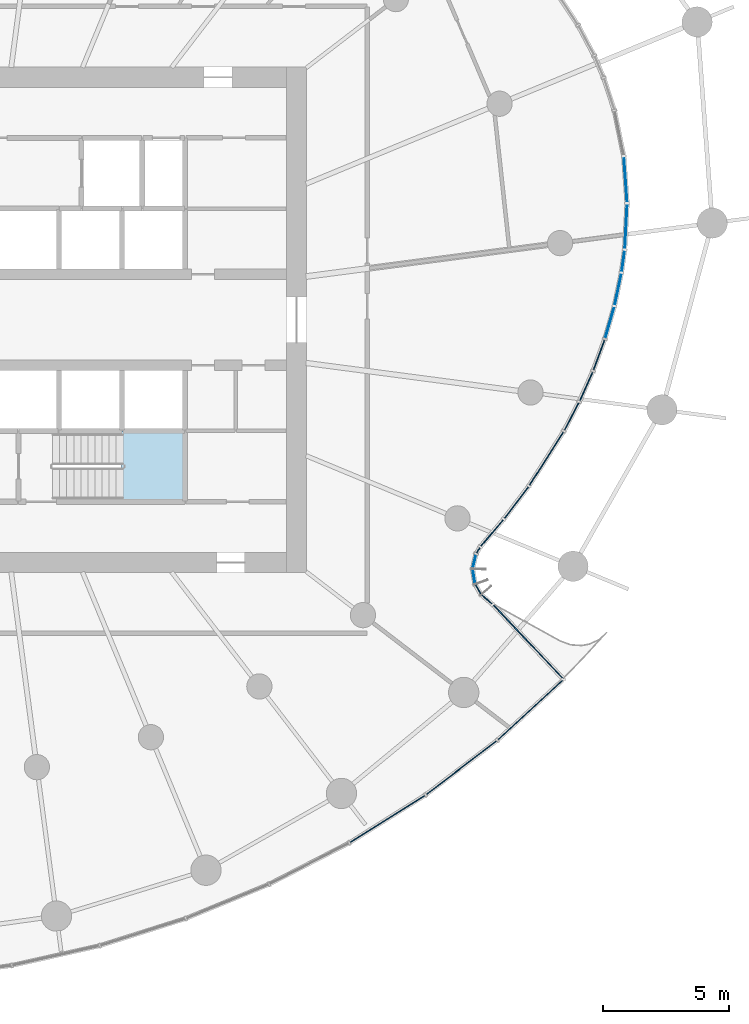
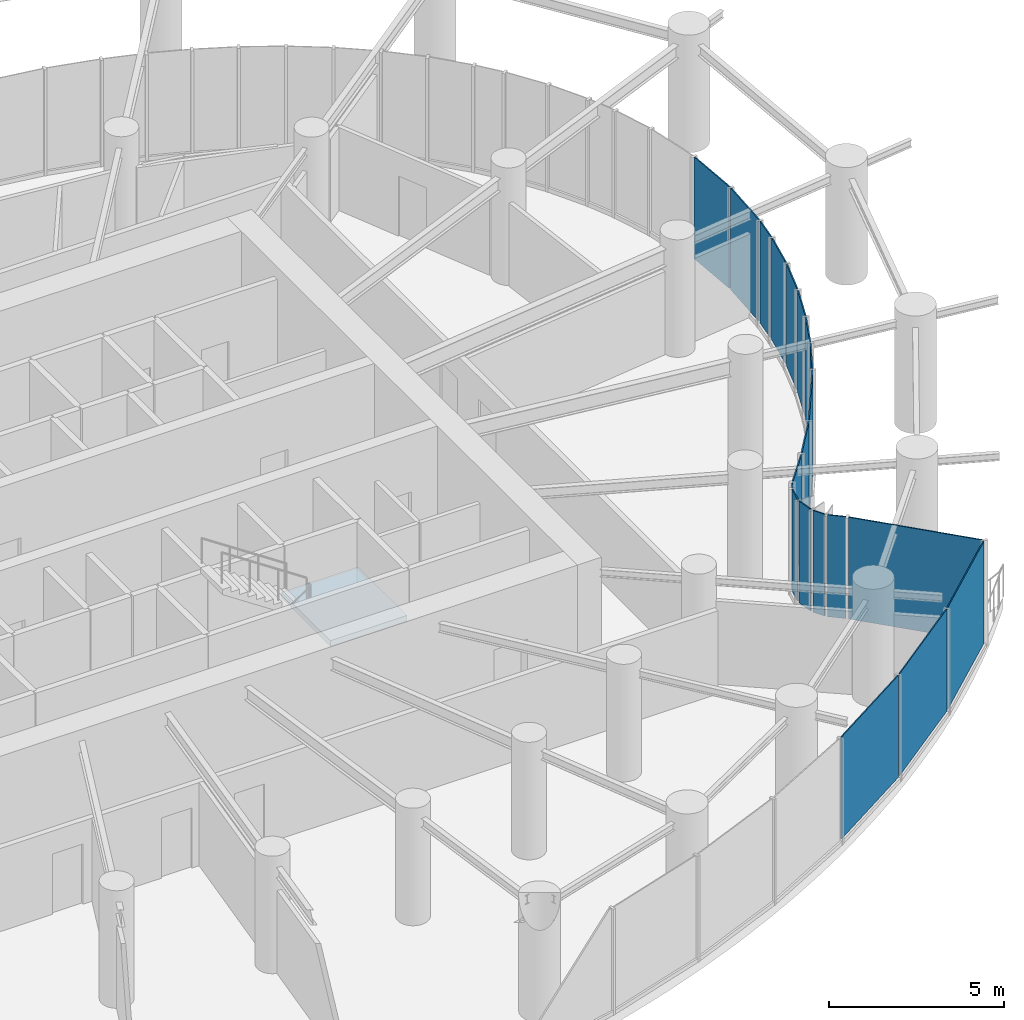
# One storey, part 11 of 21: 20 plates, 1 slab, 5 elements without a shape of their own.
"""IFC4 building model written with IfcOpenShell, lengths in metres."""

from ifc_helpers import new_model, si_unit, direction, frame, origin, origin_2d, place, context, subcontext, project, spatial, line, indexed_curve, rectangle, outline, extrude, source, transform, mapped, material, layer, layer_set, type_object, element, aggregate, save


model = new_model("IFC4")

# Units and contexts
model_context = context("Model", 3, precision=1e-05, world=origin(), true_north=direction((0.0, 1.0)))
body_context = subcontext(model_context, "Body", "Model", "MODEL_VIEW")
ifc_project = project(units=[si_unit("LENGTHUNIT", "METRE"), si_unit("AREAUNIT", "SQUARE_METRE"), si_unit("VOLUMEUNIT", "CUBIC_METRE"), si_unit("PLANEANGLEUNIT", "RADIAN"), si_unit("MASSUNIT", "GRAM", prefix="KILO")], contexts=[model_context])

# Site, building, storey
site_placement = place(None, origin())
site = spatial("IfcSite", under=ifc_project, at=site_placement, CompositionType="ELEMENT")
building_placement = place(site_placement, origin())
building = spatial("IfcBuilding", under=site, at=building_placement, Name="Spindrift Exchange Tower", CompositionType="ELEMENT")
storey_placement = place(building_placement, frame((0.0, 0.0, 83.89990234375)))
storey = spatial("IfcBuildingStorey", under=building, at=storey_placement, Name="L19", CompositionType="ELEMENT", Elevation=83.89990234375)

# Stair, slab
ifc_material_1 = material(Name="Concrete 50 MPa", Category="concrete")
stair_type = type_object("IfcStairType", Name="ST-1250-R186", PredefinedType="HALF_TURN_STAIR", material=ifc_material_1)
stair_placement = place(storey_placement, origin())
stair = element("IfcStair", 1, at=stair_placement, inside=storey, type_object=stair_type, Name="L19 Exit stair ST2", PredefinedType="HALF_TURN_STAIR")
ifc_layer_1 = layer(ifc_material_1, 0.199951171875)
ifc_layer_set_1 = layer_set([ifc_layer_1], Name="SL-LANDING")
slab_type = type_object("IfcSlabType", Name="SL-LANDING", PredefinedType="LANDING", material=ifc_layer_set_1)
slab_placement = place(storey_placement, frame((0.0, 0.0, 1.85009765625)))
slab = element("IfcSlab", 2, at=slab_placement, type_object=slab_type, Name="ST2 landing 1", PredefinedType="LANDING", context=body_context, shape_type="SweptSolid", body=[
    extrude(outline(indexed_curve([(57.669921875, 43.60009765625), (60.199951171875, 43.60009765625), (60.199951171875, 40.800048828125), (57.669921875, 40.800048828125)], segments=[line(1, 2, 3, 4, 1)], self_intersect=False)), origin(), (0.0, 0.0, 1.0), 0.199951171875),
])
aggregate(stair, [slab])

# Curtain wall, plate
ifc_material_2 = material(Name="Fritted laminated glass with bronze frame", Category="glass")
ifc_layer_2 = layer(ifc_material_2, 0.199951171875)
ifc_layer_set_2 = layer_set([ifc_layer_2], Name="SKY GARDEN BRONZE GLAZED WALL")
curtain_wall_type_1 = type_object("IfcCurtainWallType", Name="SKY GARDEN BRONZE GLAZED WALL", PredefinedType="NOTDEFINED", material=ifc_layer_set_2)
curtain_wall_1_placement = place(storey_placement, origin())
curtain_wall_1 = element("IfcCurtainWall", 3, at=curtain_wall_1_placement, inside=storey, type_object=curtain_wall_type_1, Name="L19 Sky Garden Bronze Glazed Wall run 7", PredefinedType="NOTDEFINED")
ifc_material_3 = material(Name="Bronze tinted laminated glass, clear vision", Category="glass")
ifc_layer_3 = layer(ifc_material_3, 0.0380859375)
ifc_layer_set_3 = layer_set([ifc_layer_3], Name="SKY GARDEN BRONZE GLAZED WALL PANEL CLEAR 1560")
plate_type_1 = type_object("IfcPlateType", Name="SKY GARDEN BRONZE GLAZED WALL PANEL CLEAR 1560", PredefinedType="CURTAIN_PANEL", material=ifc_layer_set_3)
shared_shape_1 = source(origin(), body_context, "Body", "SweptSolid", [
    extrude(rectangle(XDim=0.526123046875, YDim=0.0380859375, at=origin_2d()), origin(), (0.0, 0.0, 1.0), 3.550048828125),
])
plate_1_placement = place(storey_placement, frame((71.643310546875, 38.441650390625, 0.14990234375), z_axis=(0.0, 0.0, 1.0), x_axis=(0.230698519716, 0.973025278706, 0.0)))
plate_1 = element("IfcPlate", 4, at=plate_1_placement, type_object=plate_type_1, Name="L19 panel CW-G.40", PredefinedType="CURTAIN_PANEL", context=body_context, shape_type="MappedRepresentation", body=[
    mapped(shared_shape_1, transform((0.0, 0.0, 0.0), scale=1.0)),
])

# Curtain wall, plates
curtain_wall_2_placement = place(storey_placement, origin())
curtain_wall_2 = element("IfcCurtainWall", 5, at=curtain_wall_2_placement, inside=storey, type_object=curtain_wall_type_1, Name="L19 Sky Garden Bronze Glazed Wall run 8", PredefinedType="NOTDEFINED")
ifc_layer_4 = layer(ifc_material_3, 0.0380859375)
ifc_layer_set_4 = layer_set([ifc_layer_4], Name="SKY GARDEN BRONZE GLAZED WALL PANEL CLEAR 1200")
plate_type_2 = type_object("IfcPlateType", Name="SKY GARDEN BRONZE GLAZED WALL PANEL CLEAR 1200", PredefinedType="CURTAIN_PANEL", material=ifc_layer_set_4)
shared_shape_2 = source(origin(), body_context, "Body", "SweptSolid", [
    extrude(rectangle(XDim=1.560791015625, YDim=0.0380859375, at=origin_2d()), origin(), (0.0, 0.0, 1.0), 3.550048828125),
])
plate_2_placement = place(storey_placement, frame((73.3056640625, 40.76513671875, 0.14990234375), z_axis=(0.0, 0.0, 1.0), x_axis=(0.605827337724, 0.795596151868, 0.0)))
plate_2 = element("IfcPlate", 6, at=plate_2_placement, type_object=plate_type_2, Name="L19 panel CW-G.43", PredefinedType="CURTAIN_PANEL", context=body_context, shape_type="MappedRepresentation", body=[
    mapped(shared_shape_2, transform((0.0, 0.0, 0.0), scale=1.0)),
])
ifc_layer_5 = layer(ifc_material_3, 0.0380859375)
ifc_layer_set_5 = layer_set([ifc_layer_5], Name="SKY GARDEN BRONZE GLAZED WALL PANEL CLEAR 1920")
plate_type_3 = type_object("IfcPlateType", Name="SKY GARDEN BRONZE GLAZED WALL PANEL CLEAR 1920", PredefinedType="CURTAIN_PANEL", material=ifc_layer_set_5)
shared_shape_3 = source(origin(), body_context, "Body", "SweptSolid", [
    extrude(rectangle(XDim=2.489501953125, YDim=0.0380859375, at=origin_2d()), origin(), (0.0, 0.0, 1.0), 3.550048828125),
])
plate_3_placement = place(storey_placement, frame((74.4951171875, 42.505859375, 0.14990234375), z_axis=(0.0, 0.0, 1.0), x_axis=(0.536779891902, 0.843722316672, 0.0)))
plate_3 = element("IfcPlate", 7, at=plate_3_placement, type_object=plate_type_3, Name="L19 panel CW-G.44", PredefinedType="CURTAIN_PANEL", context=body_context, shape_type="MappedRepresentation", body=[
    mapped(shared_shape_3, transform((0.0, 0.0, 0.0), scale=1.0)),
])
shared_shape_4 = source(origin(), body_context, "Body", "SweptSolid", [
    extrude(rectangle(XDim=1.2626953125, YDim=0.0380859375, at=origin_2d()), origin(), (0.0, 0.0, 1.0), 3.550048828125),
])
plate_4_placement = place(storey_placement, frame((76.57421875, 46.602783203125, 0.14990234375), z_axis=(0.0, 0.0, 1.0), x_axis=(0.347241738063, 0.937775652993, 0.0)))
plate_4 = element("IfcPlate", 8, at=plate_4_placement, type_object=plate_type_1, Name="L19 panel CW-G.47", PredefinedType="CURTAIN_PANEL", context=body_context, shape_type="MappedRepresentation", body=[
    mapped(shared_shape_4, transform((0.0, 0.0, 0.0), scale=1.0)),
])

ifc_layer_6 = layer(ifc_material_2, 0.18994140625)
ifc_layer_set_6 = layer_set([ifc_layer_6], Name="ZONE 2 BRONZE FRITTED WALL")
curtain_wall_type_2 = type_object("IfcCurtainWallType", Name="ZONE 2 BRONZE FRITTED WALL", PredefinedType="NOTDEFINED", material=ifc_layer_set_6)
curtain_wall_3_placement = place(storey_placement, origin())
curtain_wall_3 = element("IfcCurtainWall", 9, at=curtain_wall_3_placement, inside=storey, type_object=curtain_wall_type_2, Name="L19 Zone 2 Bronze Fritted Wall run 6", PredefinedType="NOTDEFINED")
ifc_material_4 = material(Name="Bronze fritted laminated glass, close frit", Category="glass")
ifc_layer_7 = layer(ifc_material_4, 0.033935546875)
ifc_layer_set_7 = layer_set([ifc_layer_7], Name="ZONE 2 BRONZE FRITTED WALL PANEL CLOSE FRIT 420")
plate_type_4 = type_object("IfcPlateType", Name="ZONE 2 BRONZE FRITTED WALL PANEL CLOSE FRIT 420", PredefinedType="CURTAIN_PANEL", material=ifc_layer_set_7)
shared_shape_5 = source(origin(), body_context, "Body", "SweptSolid", [
    extrude(rectangle(XDim=3.491455078125, YDim=0.033935546875, at=origin_2d()), origin(), (0.0, 0.0, 1.0), 3.56005859375),
])
plate_5_placement = place(storey_placement, frame((73.8623046875, 32.564208984375, 0.14013671875), z_axis=(0.0, 0.0, 1.0), x_axis=(0.735652732992, 0.677358883046, 0.0)))
plate_5 = element("IfcPlate", 10, at=plate_5_placement, type_object=plate_type_4, Name="L19 panel CW-2.35", PredefinedType="CURTAIN_PANEL", context=body_context, shape_type="MappedRepresentation", body=[
    mapped(shared_shape_5, transform((0.0, 0.0, 0.0), scale=1.0)),
])
ifc_layer_8 = layer(ifc_material_4, 0.033935546875)
ifc_layer_set_8 = layer_set([ifc_layer_8], Name="ZONE 2 BRONZE FRITTED WALL PANEL CLOSE FRIT 300")
plate_type_5 = type_object("IfcPlateType", Name="ZONE 2 BRONZE FRITTED WALL PANEL CLOSE FRIT 300", PredefinedType="CURTAIN_PANEL", material=ifc_layer_set_8)
shared_shape_6 = source(origin(), body_context, "Body", "SweptSolid", [
    extrude(rectangle(XDim=3.49169921875, YDim=0.033935546875, at=origin_2d()), origin(), (0.0, 0.0, 1.0), 3.56005859375),
])
plate_6_placement = place(storey_placement, frame((71.131591796875, 30.27587890625, 0.14013671875), z_axis=(0.0, 0.0, 1.0), x_axis=(0.795641616459, 0.605767627196, 0.0)))
plate_6 = element("IfcPlate", 11, at=plate_6_placement, type_object=plate_type_5, Name="L19 panel CW-2.34", PredefinedType="CURTAIN_PANEL", context=body_context, shape_type="MappedRepresentation", body=[
    mapped(shared_shape_6, transform((0.0, 0.0, 0.0), scale=1.0)),
])
ifc_layer_9 = layer(ifc_material_4, 0.033935546875)
ifc_layer_set_9 = layer_set([ifc_layer_9], Name="ZONE 2 BRONZE FRITTED WALL PANEL CLOSE FRIT 540")
plate_type_6 = type_object("IfcPlateType", Name="ZONE 2 BRONZE FRITTED WALL PANEL CLOSE FRIT 540", PredefinedType="CURTAIN_PANEL", material=ifc_layer_set_9)
shared_shape_7 = source(origin(), body_context, "Body", "SweptSolid", [
    extrude(rectangle(XDim=3.49169921875, YDim=0.033935546875, at=origin_2d()), origin(), (0.0, 0.0, 1.0), 3.56005859375),
])
plate_7_placement = place(storey_placement, frame((68.203369140625, 28.24609375, 0.14013671875), z_axis=(0.0, 0.0, 1.0), x_axis=(0.846413514288, 0.532526208585, 0.0)))
plate_7 = element("IfcPlate", 12, at=plate_7_placement, type_object=plate_type_6, Name="L19 panel CW-2.33", PredefinedType="CURTAIN_PANEL", context=body_context, shape_type="MappedRepresentation", body=[
    mapped(shared_shape_7, transform((0.0, 0.0, 0.0), scale=1.0)),
])
aggregate(curtain_wall_3, [plate_7, plate_6, plate_5])

# Plate
shared_shape_8 = source(origin(), body_context, "Body", "SweptSolid", [
    extrude(rectangle(XDim=3.989990234375, YDim=0.0380859375, at=origin_2d()), origin(), (0.0, 0.0, 1.0), 3.550048828125),
])
plate_8_placement = place(storey_placement, frame((73.7744140625, 35.25244140625, 0.14990234375), z_axis=(0.0, 0.0, 1.0), x_axis=(-0.686974640545, 0.726681390465, 0.0)))
plate_8 = element("IfcPlate", 13, at=plate_8_placement, type_object=plate_type_3, Name="L19 panel CW-G.36", PredefinedType="CURTAIN_PANEL", context=body_context, shape_type="MappedRepresentation", body=[
    mapped(shared_shape_8, transform((0.0, 0.0, 0.0), scale=1.0)),
])

shared_shape_9 = source(origin(), body_context, "Body", "SweptSolid", [
    extrude(rectangle(XDim=0.52880859375, YDim=0.0380859375, at=origin_2d()), origin(), (0.0, 0.0, 1.0), 3.550048828125),
])
plate_9_placement = place(storey_placement, frame((72.140380859375, 36.931396484375, 0.14990234375), z_axis=(0.0, 0.0, 1.0), x_axis=(-0.763256150951, 0.646096005278, 0.0)))
plate_9 = element("IfcPlate", 14, at=plate_9_placement, type_object=plate_type_3, Name="L19 panel CW-G.37", PredefinedType="CURTAIN_PANEL", context=body_context, shape_type="MappedRepresentation", body=[
    mapped(shared_shape_9, transform((0.0, 0.0, 0.0), scale=1.0)),
])

shared_shape_10 = source(origin(), body_context, "Body", "SweptSolid", [
    extrude(rectangle(XDim=0.38330078125, YDim=0.0380859375, at=origin_2d()), origin(), (0.0, 0.0, 1.0), 3.550048828125),
])
plate_10_placement = place(storey_placement, frame((71.790283203125, 37.3330078125, 0.14990234375), z_axis=(0.0, 0.0, 1.0), x_axis=(-0.494896110799, 0.868952150303, 0.0)))
plate_10 = element("IfcPlate", 15, at=plate_10_placement, type_object=plate_type_1, Name="L19 panel CW-G.38", PredefinedType="CURTAIN_PANEL", context=body_context, shape_type="MappedRepresentation", body=[
    mapped(shared_shape_10, transform((0.0, 0.0, 0.0), scale=1.0)),
])

shared_shape_11 = source(origin(), body_context, "Body", "SweptSolid", [
    extrude(rectangle(XDim=0.53125, YDim=0.0380859375, at=origin_2d()), origin(), (0.0, 0.0, 1.0), 3.550048828125),
])
plate_11_placement = place(storey_placement, frame((71.623779296875, 37.840576171875, 0.14990234375), z_axis=(0.0, 0.0, 1.0), x_axis=(-0.164872021149, 0.986314968274, 0.0)))
plate_11 = element("IfcPlate", 16, at=plate_11_placement, type_object=plate_type_3, Name="L19 panel CW-G.39", PredefinedType="CURTAIN_PANEL", context=body_context, shape_type="MappedRepresentation", body=[
    mapped(shared_shape_11, transform((0.0, 0.0, 0.0), scale=1.0)),
])

shared_shape_12 = source(origin(), body_context, "Body", "SweptSolid", [
    extrude(rectangle(XDim=0.229736328125, YDim=0.0380859375, at=origin_2d()), origin(), (0.0, 0.0, 1.0), 3.550048828125),
])
plate_12_placement = place(storey_placement, frame((71.793701171875, 38.87451171875, 0.14990234375), z_axis=(0.0, 0.0, 1.0), x_axis=(0.508172840056, 0.861255110075, 0.0)))
plate_12 = element("IfcPlate", 17, at=plate_12_placement, type_object=plate_type_3, Name="L19 panel CW-G.41", PredefinedType="CURTAIN_PANEL", context=body_context, shape_type="MappedRepresentation", body=[
    mapped(shared_shape_12, transform((0.0, 0.0, 0.0), scale=1.0)),
])

aggregate(curtain_wall_1, [plate_8, plate_9, plate_10, plate_11, plate_1, plate_12])

shared_shape_13 = source(origin(), body_context, "Body", "SweptSolid", [
    extrude(rectangle(XDim=1.35791015625, YDim=0.0380859375, at=origin_2d()), origin(), (0.0, 0.0, 1.0), 3.550048828125),
])
plate_13_placement = place(storey_placement, frame((72.340576171875, 39.560302734375, 0.14990234375), z_axis=(0.0, 0.0, 1.0), x_axis=(0.646792441721, 0.762666071969, 0.0)))
plate_13 = element("IfcPlate", 18, at=plate_13_placement, type_object=plate_type_1, Name="L19 panel CW-G.42", PredefinedType="CURTAIN_PANEL", context=body_context, shape_type="MappedRepresentation", body=[
    mapped(shared_shape_13, transform((0.0, 0.0, 0.0), scale=1.0)),
])

shared_shape_14 = source(origin(), body_context, "Body", "SweptSolid", [
    extrude(rectangle(XDim=1.228515625, YDim=0.0380859375, at=origin_2d()), origin(), (0.0, 0.0, 1.0), 3.550048828125),
])
plate_14_placement = place(storey_placement, frame((75.49072265625, 44.173583984375, 0.14990234375), z_axis=(0.0, 0.0, 1.0), x_axis=(0.464217627649, 0.885721171803, 0.0)))
plate_14 = element("IfcPlate", 19, at=plate_14_placement, type_object=plate_type_2, Name="L19 panel CW-G.45", PredefinedType="CURTAIN_PANEL", context=body_context, shape_type="MappedRepresentation", body=[
    mapped(shared_shape_14, transform((0.0, 0.0, 0.0), scale=1.0)),
])

shared_shape_15 = source(origin(), body_context, "Body", "SweptSolid", [
    extrude(rectangle(XDim=1.246826171875, YDim=0.0380859375, at=origin_2d()), origin(), (0.0, 0.0, 1.0), 3.550048828125),
])
plate_15_placement = place(storey_placement, frame((76.06787109375, 45.363037109375, 0.14990234375), z_axis=(0.0, 0.0, 1.0), x_axis=(0.408755799413, 0.912643794942, 0.0)))
plate_15 = element("IfcPlate", 20, at=plate_15_placement, type_object=plate_type_2, Name="L19 panel CW-G.46", PredefinedType="CURTAIN_PANEL", context=body_context, shape_type="MappedRepresentation", body=[
    mapped(shared_shape_15, transform((0.0, 0.0, 0.0), scale=1.0)),
])

aggregate(curtain_wall_2, [plate_13, plate_2, plate_3, plate_14, plate_15, plate_4])

# Curtain wall, plates
curtain_wall_4_placement = place(storey_placement, origin())
curtain_wall_4 = element("IfcCurtainWall", 21, at=curtain_wall_4_placement, inside=storey, type_object=curtain_wall_type_1, Name="L19 Sky Garden Bronze Glazed Wall run 9", PredefinedType="NOTDEFINED")
shared_shape_16 = source(origin(), body_context, "Body", "SweptSolid", [
    extrude(rectangle(XDim=1.27587890625, YDim=0.0380859375, at=origin_2d()), origin(), (0.0, 0.0, 1.0), 3.550048828125),
])
plate_16_placement = place(storey_placement, frame((76.998291015625, 47.88818359375, 0.14990234375), z_axis=(0.0, 0.0, 1.0), x_axis=(0.279356460084, 0.960187465139, 0.0)))
plate_16 = element("IfcPlate", 22, at=plate_16_placement, type_object=plate_type_3, Name="L19 panel CW-G.48", PredefinedType="CURTAIN_PANEL", context=body_context, shape_type="MappedRepresentation", body=[
    mapped(shared_shape_16, transform((0.0, 0.0, 0.0), scale=1.0)),
])
shared_shape_17 = source(origin(), body_context, "Body", "SweptSolid", [
    extrude(rectangle(XDim=1.26611328125, YDim=0.0380859375, at=origin_2d()), origin(), (0.0, 0.0, 1.0), 3.550048828125),
])
plate_17_placement = place(storey_placement, frame((77.326904296875, 49.20263671875, 0.14990234375), z_axis=(0.0, 0.0, 1.0), x_axis=(0.205372402497, 0.978683900089, 0.0)))
plate_17 = element("IfcPlate", 23, at=plate_17_placement, type_object=plate_type_2, Name="L19 panel CW-G.49", PredefinedType="CURTAIN_PANEL", context=body_context, shape_type="MappedRepresentation", body=[
    mapped(shared_shape_17, transform((0.0, 0.0, 0.0), scale=1.0)),
])
shared_shape_18 = source(origin(), body_context, "Body", "SweptSolid", [
    extrude(rectangle(XDim=0.83251953125, YDim=0.0380859375, at=origin_2d()), origin(), (0.0, 0.0, 1.0), 3.550048828125),
])
plate_18_placement = place(storey_placement, frame((77.529541015625, 50.318115234375, 0.14990234375), z_axis=(0.0, 0.0, 1.0), x_axis=(0.138963968255, 0.990297437908, 0.0)))
plate_18 = element("IfcPlate", 24, at=plate_18_placement, type_object=plate_type_3, Name="L19 panel CW-G.50", PredefinedType="CURTAIN_PANEL", context=body_context, shape_type="MappedRepresentation", body=[
    mapped(shared_shape_18, transform((0.0, 0.0, 0.0), scale=1.0)),
])
shared_shape_19 = source(origin(), body_context, "Body", "SweptSolid", [
    extrude(rectangle(XDim=1.756103515625, YDim=0.0380859375, at=origin_2d()), origin(), (0.0, 0.0, 1.0), 3.550048828125),
])
plate_19_placement = place(storey_placement, frame((77.6416015625, 51.691650390625, 0.14990234375), z_axis=(0.0, 0.0, 1.0), x_axis=(0.052470161945, 0.998622492289, 0.0)))
plate_19 = element("IfcPlate", 25, at=plate_19_placement, type_object=plate_type_3, Name="L19 panel CW-G.51", PredefinedType="CURTAIN_PANEL", context=body_context, shape_type="MappedRepresentation", body=[
    mapped(shared_shape_19, transform((0.0, 0.0, 0.0), scale=1.0)),
])
shared_shape_20 = source(origin(), body_context, "Body", "SweptSolid", [
    extrude(rectangle(XDim=1.78466796875, YDim=0.0380859375, at=origin_2d()), origin(), (0.0, 0.0, 1.0), 3.550048828125),
])
plate_20_placement = place(storey_placement, frame((77.623291015625, 53.54345703125, 0.14990234375), z_axis=(0.0, 0.0, 1.0), x_axis=(-0.071246757866, 0.997458720697, 0.0)))
plate_20 = element("IfcPlate", 26, at=plate_20_placement, type_object=plate_type_3, Name="L19 panel CW-G.52", PredefinedType="CURTAIN_PANEL", context=body_context, shape_type="MappedRepresentation", body=[
    mapped(shared_shape_20, transform((0.0, 0.0, 0.0), scale=1.0)),
])
aggregate(curtain_wall_4, [plate_16, plate_17, plate_18, plate_19, plate_20])

save(model, "model.ifc")
